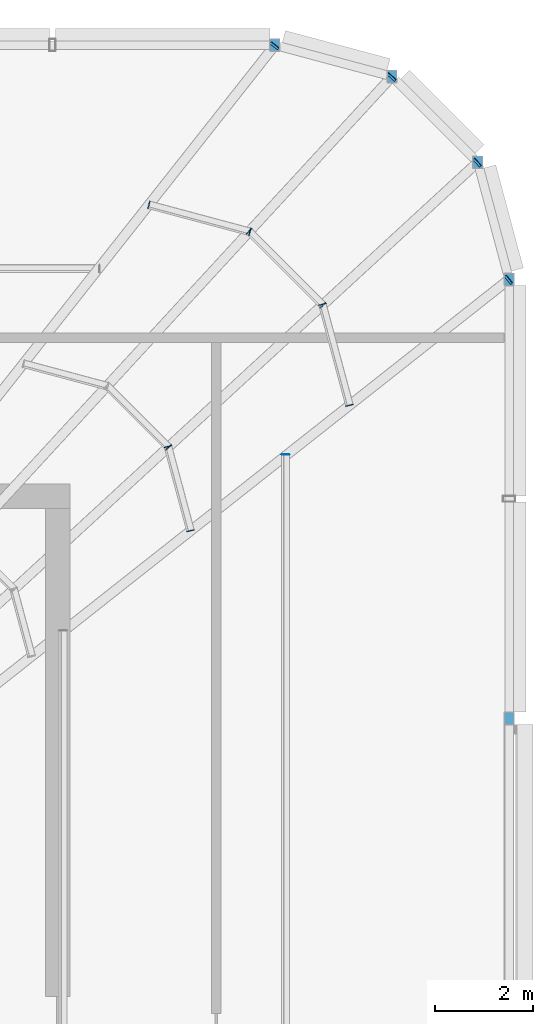
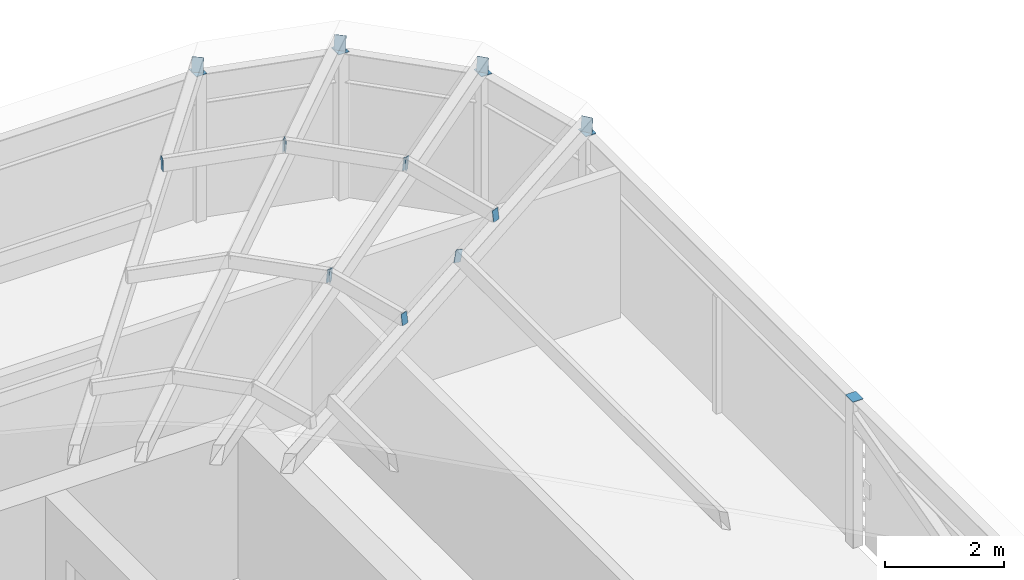
# One storey, part 41 of 46: 19 discrete accessories.
"""IFC4 building model written with IfcOpenShell, lengths in metres."""

from ifc_helpers import new_model, si_unit, direction, frame, origin, origin_2d, place, context, subcontext, project, spatial, rectangle, extrude, material, type_object, element, save


model = new_model("IFC4")

# Units and contexts
model_context = context("Model", 3, precision=1e-05, world=origin(), true_north=direction((0.0, 1.0)))
body_context = subcontext(model_context, "Body", "Model", "MODEL_VIEW")
ifc_project = project(units=[si_unit("LENGTHUNIT", "METRE"), si_unit("AREAUNIT", "SQUARE_METRE"), si_unit("VOLUMEUNIT", "CUBIC_METRE"), si_unit("PLANEANGLEUNIT", "RADIAN"), si_unit("MASSUNIT", "GRAM", prefix="KILO")], contexts=[model_context])

# Site, building, storey
site_placement = place(None, origin())
site = spatial("IfcSite", under=ifc_project, at=site_placement, CompositionType="ELEMENT")
building_placement = place(site_placement, origin())
building = spatial("IfcBuilding", under=site, at=building_placement, Name="Madar Terraces", CompositionType="ELEMENT")
storey_placement = place(building_placement, frame((0.0, 0.0, 317.300048828125)))
storey = spatial("IfcBuildingStorey", under=building, at=storey_placement, Name="L82", CompositionType="ELEMENT", Elevation=317.300048828125)

# Discrete accessories
ifc_material = material(Name="Steel plate ASTM A36, galvanised", Category="steel")
discrete_accessory_type = type_object("IfcDiscreteAccessoryType", Name="Hollow section end plate", PredefinedType="BRACKET", material=ifc_material)
for number, where, z_axis, x_axis, name in (
    (1, (51.587158203125, 46.78369140625, 3.149169921875), (0.613267437123, 0.776805420356, -0.143095735329), (-0.784882765533, 0.619644288579, 0.0), "Hollow section end plate"),
    (2, (56.3837890625, 41.987060546875, 3.149169921875), (0.776805420356, 0.613267437123, -0.143095735329), (-0.619644288579, 0.784882765533, 0.0), "Hollow section end plate"),
    (3, (55.7421875, 44.386474609375, 3.149169921875), (0.729696417104, 0.668888382345, -0.141885414437), (-0.675724628517, 0.737154140201, 0.0), "Hollow section end plate"),
    (4, (53.986328125, 46.14208984375, 3.149169921875), (0.668888382345, 0.729696417104, -0.141885414437), (-0.737154140201, 0.675724628517, 0.0), "Hollow section end plate"),
):
    element("IfcDiscreteAccessory", number, at=place(storey_placement, frame(where, z_axis=z_axis, x_axis=x_axis)), inside=storey, type_object=discrete_accessory_type, Name=name, PredefinedType="BRACKET", context=body_context, shape_type="SweptSolid", body=[
        extrude(rectangle(XDim=0.203125, YDim=0.3046875, at=origin_2d()), origin(), (0.0, 0.0, 1.0), 0.011962890625),
    ])
discrete_accessory_1_placement = place(storey_placement, frame((51.818115234375, 38.39990234375, 4.22900390625), z_axis=(0.0, 1.0, 0.0), x_axis=(-0.984957023705, 0.0, 0.172799483372)))
element("IfcDiscreteAccessory", 5, at=discrete_accessory_1_placement, inside=storey, type_object=discrete_accessory_type, Name="Hollow section end plate", PredefinedType="BRACKET", context=body_context, shape_type="SweptSolid", body=[
    extrude(rectangle(XDim=0.126953125, YDim=0.25390625, at=origin_2d()), origin(), (0.0, 0.0, 1.0), 0.01220703125),
])
discrete_accessory_2_placement = place(storey_placement, frame((53.12646484375, 39.424072265625, 3.999755859375), z_axis=(0.247383245266, -0.968917710624, 0.0), x_axis=(0.960168060506, 0.245149292044, 0.13408624163)))
element("IfcDiscreteAccessory", 6, at=discrete_accessory_2_placement, inside=storey, type_object=discrete_accessory_type, Name="Hollow section end plate", PredefinedType="BRACKET", context=body_context, shape_type="SweptSolid", body=[
    extrude(rectangle(XDim=0.126953125, YDim=0.25390625, at=origin_2d()), origin(), (0.0, 0.0, 1.0), 0.011962890625),
])
discrete_accessory_3_placement = place(storey_placement, frame((52.5751953125, 41.481201171875, 3.999755859375), z_axis=(-0.261415475728, 0.96522637192, 0.0), x_axis=(-0.956510055821, -0.259054806785, 0.13408624163)))
element("IfcDiscreteAccessory", 7, at=discrete_accessory_3_placement, inside=storey, type_object=discrete_accessory_type, Name="Hollow section end plate", PredefinedType="BRACKET", context=body_context, shape_type="SweptSolid", body=[
    extrude(rectangle(XDim=0.126953125, YDim=0.25390625, at=origin_2d()), origin(), (0.0, 0.0, 1.0), 0.01220703125),
])
for number, where, z_axis, x_axis, name in (
    (8, (49.869384765625, 36.852783203125, 4.5712890625), (0.242535625036, -0.970142500145, 0.0), (0.961381789769, 0.240345447442, 0.13408624163), "Hollow section end plate"),
    (9, (49.409912109375, 38.567138671875, 4.5712890625), (-0.266586054538, 0.963811120254, 0.0), (-0.95510758435, -0.264178693544, 0.13408624163), "Hollow section end plate"),
    (10, (52.579833984375, 41.473876953125, 3.999755859375), (0.707106781187, -0.707106781187, 0.0), (0.700941463334, 0.700941463334, 0.131765435371), "Hollow section end plate"),
    (11, (51.073974609375, 42.979736328125, 3.999755859375), (-0.707106781187, 0.707106781187, 0.0), (-0.700941463334, -0.700941463334, 0.131765435371), "Hollow section end plate"),
    (12, (49.41455078125, 38.5595703125, 4.571044921875), (0.707106781187, -0.707106781187, 0.0), (0.700941463334, 0.700941463334, 0.131765435371), "Hollow section end plate"),
    (13, (51.081298828125, 42.97509765625, 3.999755859375), (0.970142500145, -0.242535625036, 0.0), (0.240345447442, 0.961381789769, 0.13408624163), "Hollow section end plate"),
):
    element("IfcDiscreteAccessory", number, at=place(storey_placement, frame(where, z_axis=z_axis, x_axis=x_axis)), inside=storey, type_object=discrete_accessory_type, Name=name, PredefinedType="BRACKET", context=body_context, shape_type="SweptSolid", body=[
        extrude(rectangle(XDim=0.126953125, YDim=0.25390625, at=origin_2d()), origin(), (0.0, 0.0, 1.0), 0.011962890625),
    ])
discrete_accessory_4_placement = place(storey_placement, frame((49.024169921875, 43.5263671875, 3.999755859375), z_axis=(-0.96522637192, 0.261415475728, 0.0), x_axis=(-0.259054806785, -0.956510055821, 0.13408624163)))
element("IfcDiscreteAccessory", 14, at=discrete_accessory_4_placement, inside=storey, type_object=discrete_accessory_type, Name="Hollow section end plate", PredefinedType="BRACKET", context=body_context, shape_type="SweptSolid", body=[
    extrude(rectangle(XDim=0.126953125, YDim=0.25390625, at=origin_2d()), origin(), (0.0, 0.0, 1.0), 0.01220703125),
])
for number, where, z_axis, x_axis, name in (
    (15, (56.39990234375, 33.0, 3.0), (0.0, 0.0, 1.0), (1.0, 0.0, 0.0), "Hollow section end plate"),
    (16, (56.39990234375, 42.0, 3.0), (0.0, 0.0, 1.0), (1.0, 0.0, 0.0), "Hollow section end plate"),
    (17, (55.7568359375, 44.39990234375, 3.0), (0.0, 0.0, 1.0), (1.0, 0.0, 0.0), "Hollow section end plate"),
    (18, (54.0, 46.156982421875, 3.0), (0.0, 0.0, 1.0), (1.0, 0.0, 0.0), "Hollow section end plate"),
    (19, (51.60009765625, 46.800048828125, 3.0), (0.0, 0.0, 1.0), (1.0, 0.0, 0.0), "Hollow section end plate"),
):
    element("IfcDiscreteAccessory", number, at=place(storey_placement, frame(where, z_axis=z_axis, x_axis=x_axis)), inside=storey, type_object=discrete_accessory_type, Name=name, PredefinedType="BRACKET", context=body_context, shape_type="SweptSolid", body=[
        extrude(rectangle(XDim=0.203125, YDim=0.25390625, at=origin_2d()), origin(), (0.0, 0.0, 1.0), 0.011962890625),
    ])

save(model, "model.ifc")
